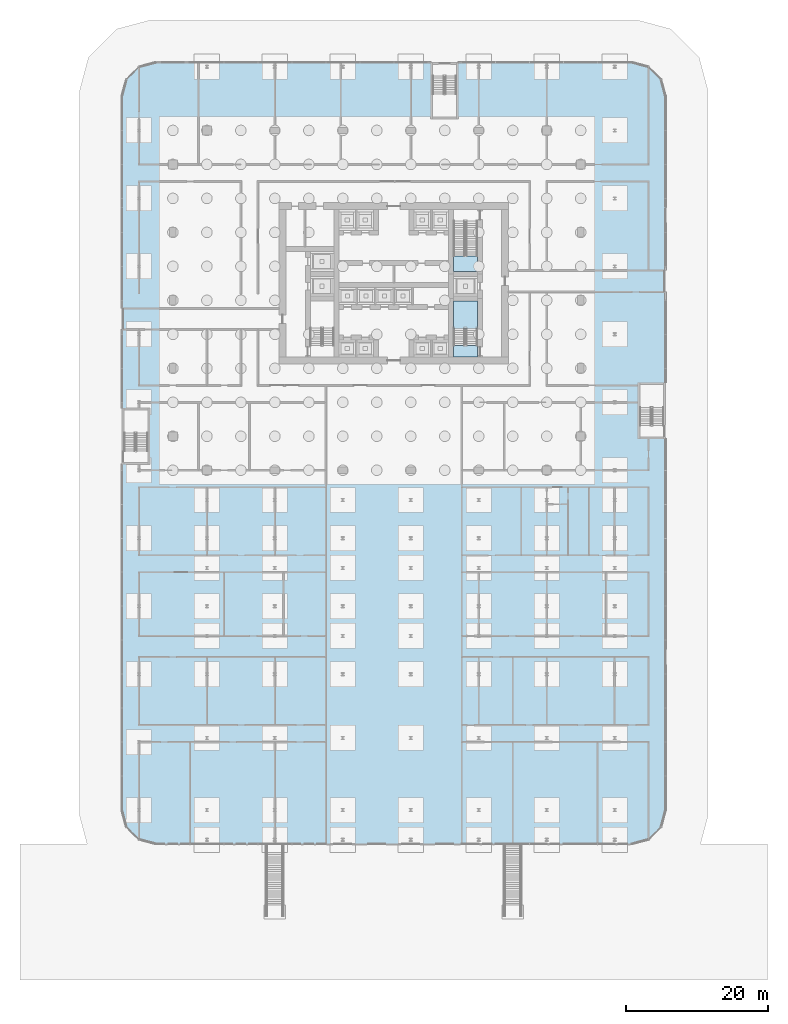
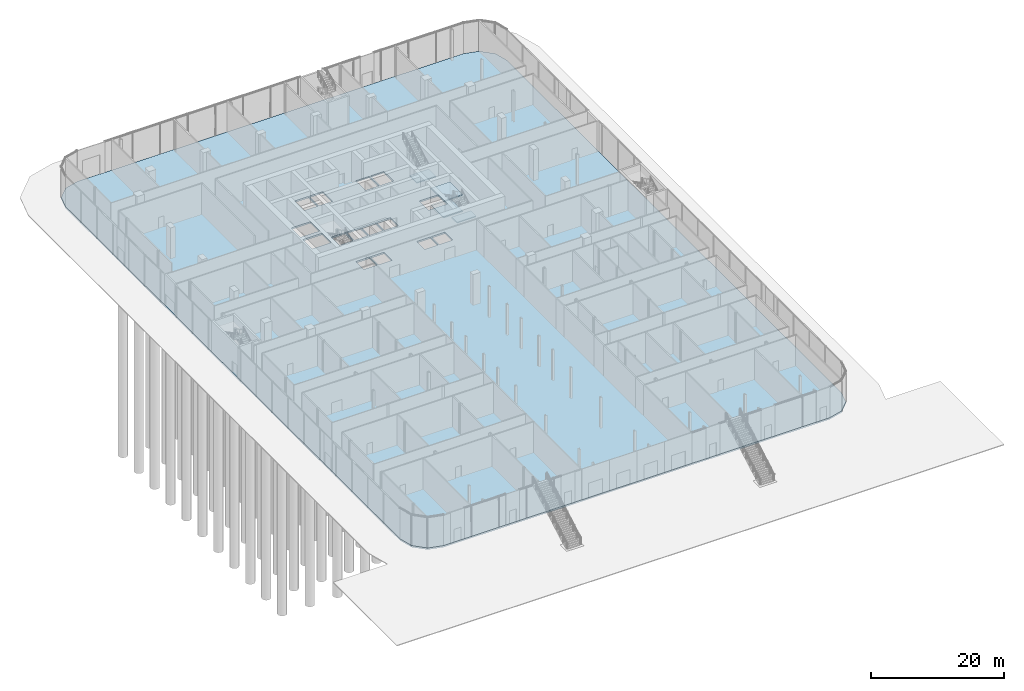
# One storey, part 24 of 44: 5 slabs, 2 elements without a shape of their own.
"""IFC4 building model written with IfcOpenShell, lengths in metres."""

from ifc_helpers import new_model, si_unit, direction, frame, origin, place, context, subcontext, project, spatial, polyline, outline, extrude, material, layer, layer_set, type_object, element, aggregate, save


model = new_model("IFC4")

# Units and contexts
model_context = context("Model", 3, precision=1e-05, world=origin(), true_north=direction((0.0, 1.0)))
body_context = subcontext(model_context, "Body", "Model", "MODEL_VIEW")
ifc_project = project(units=[si_unit("LENGTHUNIT", "METRE"), si_unit("AREAUNIT", "SQUARE_METRE"), si_unit("VOLUMEUNIT", "CUBIC_METRE"), si_unit("PLANEANGLEUNIT", "RADIAN"), si_unit("MASSUNIT", "GRAM", prefix="KILO")], contexts=[model_context])

# Site, building, storey
site_placement = place(None, origin())
site = spatial("IfcSite", under=ifc_project, at=site_placement, CompositionType="ELEMENT")
building_placement = place(site_placement, origin())
building = spatial("IfcBuilding", under=site, at=building_placement, Name="Madar Terraces", CompositionType="ELEMENT")
storey_placement = place(building_placement, origin())
storey = spatial("IfcBuildingStorey", under=building, at=storey_placement, Name="L00", CompositionType="ELEMENT", Elevation=0.0)

# Slab
ifc_material_1 = material(Name="Concrete C40/50", Category="concrete")
ifc_layer_1 = layer(ifc_material_1, 0.300048828125)
ifc_layer_set_1 = layer_set([ifc_layer_1], Name="GS1 ground slab 300")
slab_type_1 = type_object("IfcSlabType", Name="GS1 ground slab 300", PredefinedType="BASESLAB", material=ifc_layer_set_1)
slab_1_placement = place(storey_placement, frame((0.0, 0.0, -0.300048828125)))
element("IfcSlab", 1, at=slab_1_placement, inside=storey, type_object=slab_type_1, Name="Floor slab L00 (1)", PredefinedType="BASESLAB", context=body_context, shape_type="SweptSolid", body=[
    extrude(outline(polyline([(64.800048828125, -52.800048828125), (67.199951171875, -52.156982421875), (68.95703125, -50.39990234375), (69.60009765625, -48.0), (69.60009765625, 52.800048828125), (68.95703125, 55.199951171875), (67.199951171875, 56.95703125), (64.800048828125, 57.60009765625), (-2.39990234375, 57.60009765625), (-4.800048828125, 56.95703125), (-6.556884765625, 55.199951171875), (-7.199951171875, 52.800048828125), (-7.199951171875, -48.0), (-6.556884765625, -50.39990234375), (-4.800048828125, -52.156982421875), (-2.39990234375, -52.800048828125), (64.800048828125, -52.800048828125)]), holes=[polyline([(25.800048828125, 16.0), (23.449951171875, 16.0), (23.449951171875, 18.39990234375), (25.800048828125, 18.39990234375), (25.800048828125, 16.0)]), polyline([(26.0, 16.0), (26.0, 18.39990234375), (28.35009765625, 18.39990234375), (28.35009765625, 16.0), (26.0, 16.0)]), polyline([(23.449951171875, 23.39990234375), (23.449951171875, 25.800048828125), (25.86669921875, 25.800048828125), (25.86669921875, 23.39990234375), (23.449951171875, 23.39990234375)]), polyline([(26.066650390625, 23.39990234375), (26.066650390625, 25.800048828125), (28.4833984375, 25.800048828125), (28.4833984375, 23.39990234375), (26.066650390625, 23.39990234375)]), polyline([(19.39990234375, 24.60009765625), (19.39990234375, 27.39990234375), (22.75, 27.39990234375), (22.75, 24.60009765625), (19.39990234375, 24.60009765625)]), polyline([(19.39990234375, 28.10009765625), (19.39990234375, 30.89990234375), (22.75, 30.89990234375), (22.75, 28.10009765625), (19.39990234375, 28.10009765625)]), polyline([(23.449951171875, 33.89990234375), (23.449951171875, 36.800048828125), (25.800048828125, 36.800048828125), (25.800048828125, 33.89990234375), (23.449951171875, 33.89990234375)]), polyline([(26.0, 33.89990234375), (26.0, 36.800048828125), (28.35009765625, 36.800048828125), (28.35009765625, 33.89990234375), (26.0, 33.89990234375)]), polyline([(34.050048828125, 16.0), (34.050048828125, 18.39990234375), (36.39990234375, 18.39990234375), (36.39990234375, 16.0), (34.050048828125, 16.0)]), polyline([(36.60009765625, 16.0), (36.60009765625, 18.39990234375), (38.949951171875, 18.39990234375), (38.949951171875, 16.0), (36.60009765625, 16.0)]), polyline([(28.683349609375, 23.39990234375), (28.683349609375, 25.800048828125), (31.10009765625, 25.800048828125), (31.10009765625, 23.39990234375), (28.683349609375, 23.39990234375)]), polyline([(31.300048828125, 23.39990234375), (31.300048828125, 25.800048828125), (33.716552734375, 25.800048828125), (33.716552734375, 23.39990234375), (31.300048828125, 23.39990234375)]), polyline([(39.64990234375, 24.60009765625), (39.64990234375, 27.39990234375), (43.0, 27.39990234375), (43.0, 24.60009765625), (39.64990234375, 24.60009765625)]), polyline([(34.050048828125, 33.89990234375), (34.050048828125, 36.800048828125), (36.39990234375, 36.800048828125), (36.39990234375, 33.89990234375), (34.050048828125, 33.89990234375)]), polyline([(36.60009765625, 33.89990234375), (36.60009765625, 36.800048828125), (38.949951171875, 36.800048828125), (38.949951171875, 33.89990234375), (36.60009765625, 33.89990234375)])]), origin(), (0.0, 0.0, 1.0), 0.300048828125),
])

# Stair, slab
ifc_material_2 = material(Name="Concrete C50/60", Category="concrete")
stair_type_1 = type_object("IfcStairType", Name="Stair ST3 protected exit", PredefinedType="HALF_TURN_STAIR", material=ifc_material_2)
stair_1_placement = place(storey_placement, origin())
stair_1 = element("IfcStair", 2, at=stair_1_placement, inside=storey, type_object=stair_type_1, Name="L00 Protected Exit Stair ST3", PredefinedType="HALF_TURN_STAIR")
ifc_material_3 = material(Name="Concrete C50/60", Category="concrete")
ifc_layer_2 = layer(ifc_material_3, 0.199951171875)
ifc_layer_set_2 = layer_set([ifc_layer_2], Name="Stair landing 200, top +1.50")
slab_type_2 = type_object("IfcSlabType", Name="Stair landing 200, top +1.50", PredefinedType="LANDING", material=ifc_layer_set_2)
slab_2_placement = place(storey_placement, frame((0.0, 0.0, 1.300048828125)))
slab_2 = element("IfcSlab", 3, at=slab_2_placement, type_object=slab_type_2, Name="ST3 landing 1", PredefinedType="LANDING", context=body_context, shape_type="SweptSolid", body=[
    extrude(outline(polyline([(39.64990234375, 20.050048828125), (43.0, 20.050048828125), (43.0, 23.89990234375), (39.64990234375, 23.89990234375), (39.64990234375, 20.050048828125)])), origin(), (0.0, 0.0, 1.0), 0.199951171875),
])

ifc_material_4 = material(Name="Concrete C50/60", Category="concrete")
stair_type_2 = type_object("IfcStairType", Name="Stair ST2 protected exit", PredefinedType="HALF_TURN_STAIR", material=ifc_material_4)
stair_2_placement = place(storey_placement, origin())
stair_2 = element("IfcStair", 4, at=stair_2_placement, inside=storey, type_object=stair_type_2, Name="L00 Protected Exit Stair ST2", PredefinedType="HALF_TURN_STAIR")
ifc_material_5 = material(Name="Concrete C50/60", Category="concrete")
ifc_layer_3 = layer(ifc_material_5, 0.199951171875)
ifc_layer_set_3 = layer_set([ifc_layer_3], Name="Stair landing 200, top +3.00")
slab_type_3 = type_object("IfcSlabType", Name="Stair landing 200, top +3.00", PredefinedType="LANDING", material=ifc_layer_set_3)
slab_3_placement = place(storey_placement, frame((0.0, 0.0, 2.800048828125)))
slab_3 = element("IfcSlab", 5, at=slab_3_placement, type_object=slab_type_3, Name="ST2 landing 1", PredefinedType="LANDING", context=body_context, shape_type="SweptSolid", body=[
    extrude(outline(polyline([(39.64990234375, 28.10009765625), (43.0, 28.10009765625), (43.0, 30.27001953125), (39.64990234375, 30.27001953125), (39.64990234375, 28.10009765625)])), origin(), (0.0, 0.0, 1.0), 0.199951171875),
])
aggregate(stair_2, [slab_3])

# Slab
slab_4_placement = place(storey_placement, frame((0.0, 0.0, 2.800048828125)))
slab_4 = element("IfcSlab", 6, at=slab_4_placement, type_object=slab_type_3, Name="ST3 landing 2", PredefinedType="LANDING", context=body_context, shape_type="SweptSolid", body=[
    extrude(outline(polyline([(39.64990234375, 16.0), (43.0, 16.0), (43.0, 17.6298828125), (39.64990234375, 17.6298828125), (39.64990234375, 16.0)])), origin(), (0.0, 0.0, 1.0), 0.199951171875),
])

ifc_material_6 = material(Name="Concrete C50/60", Category="concrete")
ifc_layer_4 = layer(ifc_material_6, 0.199951171875)
ifc_layer_set_4 = layer_set([ifc_layer_4], Name="Stair landing 200, top +4.50")
slab_type_4 = type_object("IfcSlabType", Name="Stair landing 200, top +4.50", PredefinedType="LANDING", material=ifc_layer_set_4)
slab_5_placement = place(storey_placement, frame((0.0, 0.0, 4.300048828125)))
slab_5 = element("IfcSlab", 7, at=slab_5_placement, type_object=slab_type_4, Name="ST3 landing 3", PredefinedType="LANDING", context=body_context, shape_type="SweptSolid", body=[
    extrude(outline(polyline([(39.64990234375, 20.050048828125), (43.0, 20.050048828125), (43.0, 23.89990234375), (39.64990234375, 23.89990234375), (39.64990234375, 20.050048828125)])), origin(), (0.0, 0.0, 1.0), 0.199951171875),
])

aggregate(stair_1, [slab_2, slab_4, slab_5])

save(model, "model.ifc")
